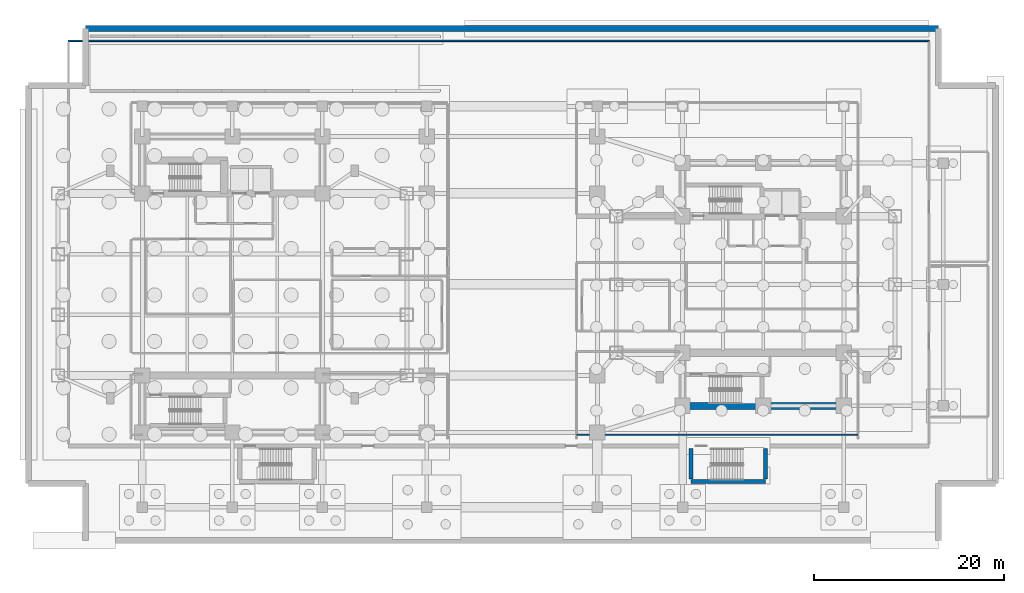
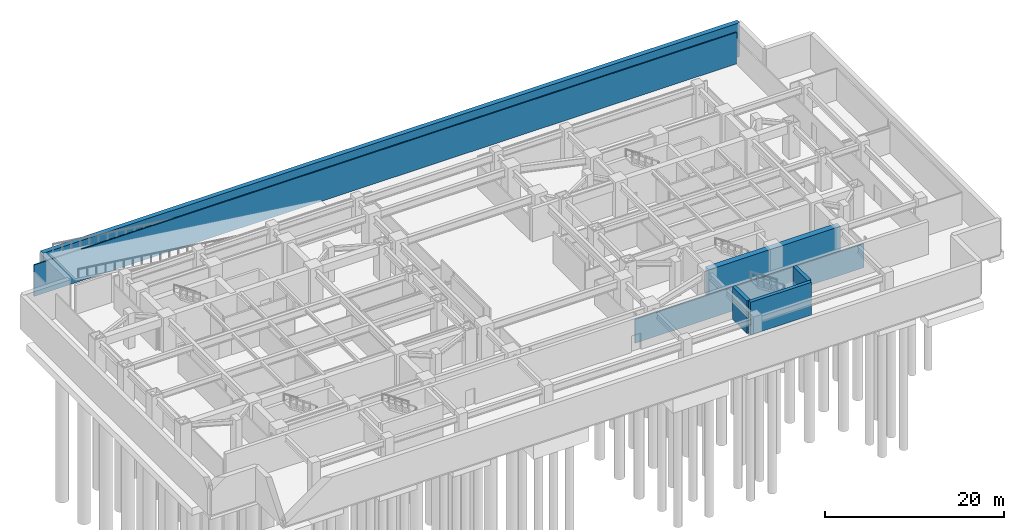
# One storey, part 9 of 16: 7 walls.
"""IFC4 building model written with IfcOpenShell, lengths in metres."""

from ifc_helpers import new_model, si_unit, direction, frame, frame_2d, origin, place, context, subcontext, project, spatial, rectangle, extrude, material, layer, layer_set, type_object, element, save


model = new_model("IFC4")

# Units and contexts
model_context = context("Model", 3, precision=1e-05, world=origin(), true_north=direction((0.0, 1.0)))
body_context = subcontext(model_context, "Body", "Model", "MODEL_VIEW")
ifc_project = project(units=[si_unit("LENGTHUNIT", "METRE"), si_unit("AREAUNIT", "SQUARE_METRE"), si_unit("VOLUMEUNIT", "CUBIC_METRE"), si_unit("PLANEANGLEUNIT", "RADIAN"), si_unit("MASSUNIT", "GRAM", prefix="KILO")], contexts=[model_context])

# Site, building, storey
site_placement = place(None, origin())
site = spatial("IfcSite", under=ifc_project, at=site_placement, CompositionType="ELEMENT")
building_placement = place(site_placement, origin())
building = spatial("IfcBuilding", under=site, at=building_placement, Name="Mirazonda Arch Towers", CompositionType="ELEMENT")
storey_placement = place(building_placement, frame((0.0, 0.0, -4.800048828125)))
storey = spatial("IfcBuildingStorey", under=building, at=storey_placement, Name="B1", CompositionType="ELEMENT", Elevation=-4.800048828125)

# Walls
ifc_material_1 = material(Name="Concrete C50/60", Category="concrete")
ifc_layer_1 = layer(ifc_material_1, 0.60009765625, Name="WALL-BSMT-RET-600")
ifc_layer_set_1 = layer_set([ifc_layer_1], Name="Concrete C50/60")
wall_type_1 = type_object("IfcWallType", Name="WALL-BSMT-RET-600", PredefinedType="USERDEFINED", material=ifc_layer_set_1)
wall_1_placement = place(storey_placement, frame((95.0, 55.0, 0.0), z_axis=(0.0, 0.0, 1.0), x_axis=(-1.0, 0.0, 0.0)))
element("IfcWall", 1, at=wall_1_placement, inside=storey, type_object=wall_type_1, Name="B1 Perimeter Retaining Wall 7", ObjectType="RETAININGWALL", PredefinedType="USERDEFINED", context=body_context, shape_type="SweptSolid", body=[
    extrude(rectangle(XDim=90.0, YDim=0.60009765625, at=frame_2d((45.0, 0.0))), origin(), (0.0, 0.0, 1.0), 4.6201171875),
])
ifc_layer_2 = layer(ifc_material_1, 0.449951171875, Name="WALL-CORE-450")
ifc_layer_set_2 = layer_set([ifc_layer_2], Name="Concrete C50/60")
wall_type_2 = type_object("IfcWallType", Name="WALL-CORE-450", PredefinedType="SHEAR", material=ifc_layer_set_2)
wall_2_placement = place(storey_placement, frame((68.8701171875, 7.219970703125, 0.0), z_axis=(0.0, 0.0, 1.0), x_axis=(1.0, 0.0, 0.0)))
element("IfcWall", 2, at=wall_2_placement, inside=storey, type_object=wall_type_2, Name="B1 Stair Core Shear Wall 002", PredefinedType="SHEAR", context=body_context, shape_type="SweptSolid", body=[
    extrude(rectangle(XDim=7.85986328125, YDim=0.449951171875, at=frame_2d((3.929931640625, 0.0))), origin(), (0.0, 0.0, 1.0), 4.47998046875),
])
for number, where, z_axis, x_axis, name in (
    (3, (68.8701171875, 7.455078125, 0.0), (0.0, 0.0, 1.0), (0.0, 1.0, 0.0), "B1 Stair Core Shear Wall 075"),
    (4, (76.72998046875, 7.455078125, 0.0), (0.0, 0.0, 1.0), (0.0, 1.0, 0.0), "B1 Stair Core Shear Wall 080"),
):
    element("IfcWall", number, at=place(storey_placement, frame(where, z_axis=z_axis, x_axis=x_axis)), inside=storey, type_object=wall_type_2, Name=name, PredefinedType="SHEAR", context=body_context, shape_type="SweptSolid", body=[
        extrude(rectangle(XDim=3.260009765625, YDim=0.449951171875, at=frame_2d((1.6298828125, 0.0))), origin(), (0.0, 0.0, 1.0), 4.47998046875),
    ])
ifc_material_2 = material(Name="Concrete C60/75", Category="concrete")
ifc_layer_3 = layer(ifc_material_2, 0.75, Name="WALL-CORE-750")
ifc_layer_set_3 = layer_set([ifc_layer_3], Name="Concrete C60/75")
wall_type_3 = type_object("IfcWallType", Name="WALL-CORE-750", PredefinedType="SHEAR", material=ifc_layer_set_3)
wall_3_placement = place(storey_placement, frame((68.0, 15.199951171875, 0.0), z_axis=(0.0, 0.0, 1.0), x_axis=(1.0, 0.0, 0.0)))
element("IfcWall", 5, at=wall_3_placement, inside=storey, type_object=wall_type_3, Name="B1 T2S-S Core Shear Wall", PredefinedType="SHEAR", context=body_context, shape_type="SweptSolid", body=[
    extrude(rectangle(XDim=17.0, YDim=0.75, at=frame_2d((8.5, 0.0))), origin(), (0.0, 0.0, 1.0), 4.47998046875),
])
ifc_material_3 = material(Name="Fire-Rated Gypsum Stud Partition")
ifc_layer_4 = layer(ifc_material_3, 0.14990234375, Name="WALL-PART-CORR-150")
ifc_layer_set_4 = layer_set([ifc_layer_4], Name="Fire-Rated Gypsum Stud Partition")
wall_type_4 = type_object("IfcWallType", Name="WALL-PART-CORR-150", PredefinedType="PARTITIONING", material=ifc_layer_set_4)
wall_4_placement = place(storey_placement, frame((56.85009765625, 12.14990234375, 0.0), z_axis=(0.0, 0.0, 1.0), x_axis=(1.0, 0.0, 0.0)))
element("IfcWall", 6, at=wall_4_placement, inside=storey, type_object=wall_type_4, Name="B1 Interior Partition 006", PredefinedType="PARTITIONING", context=body_context, shape_type="SweptSolid", body=[
    extrude(rectangle(XDim=29.599853515625, YDim=0.14990234375, at=frame_2d((14.7998046875, 0.0))), origin(), (0.0, 0.0, 1.0), 3.251953125),
])
wall_5_placement = place(storey_placement, frame((3.199951171875, 53.699951171875, 0.0), z_axis=(0.0, 0.0, 1.0), x_axis=(1.0, 0.0, 0.0)))
element("IfcWall", 7, at=wall_5_placement, inside=storey, type_object=wall_type_4, Name="B1 Interior Partition 040", PredefinedType="PARTITIONING", context=body_context, shape_type="SweptSolid", body=[
    extrude(rectangle(XDim=90.800048828125, YDim=0.14990234375, at=frame_2d((45.39990234375, 0.0))), origin(), (0.0, 0.0, 1.0), 4.300048828125),
])

save(model, "model.ifc")
